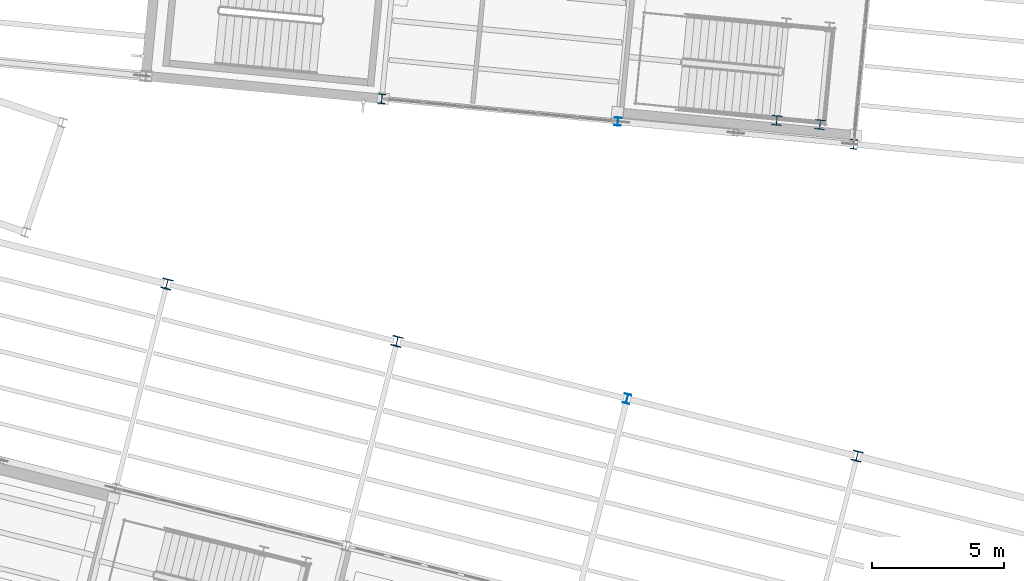
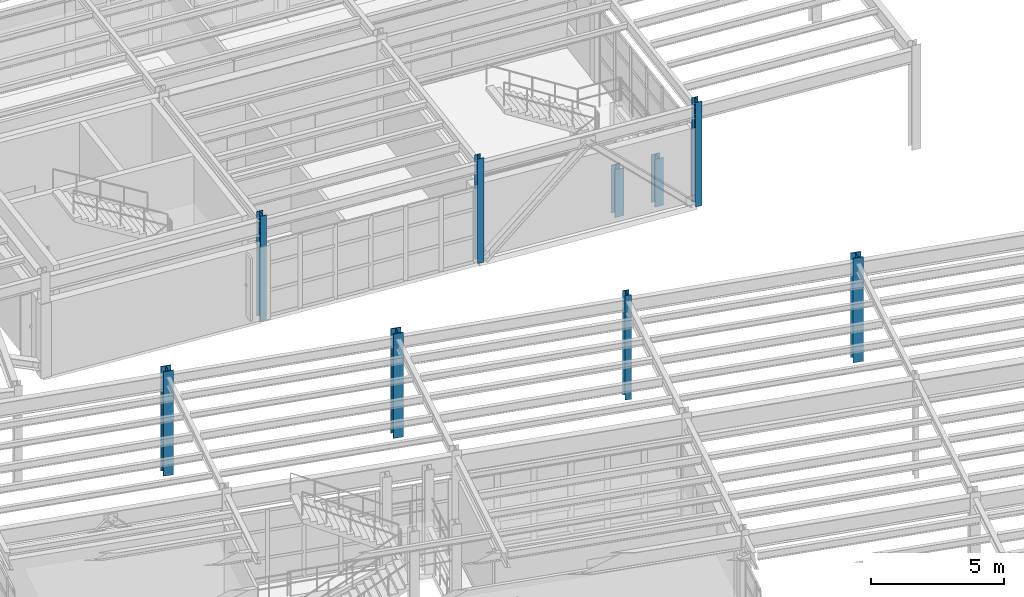
# One storey, part 9 of 109: 9 columns.
"""IFC4 building model written with IfcOpenShell, lengths in metres."""

from ifc_helpers import new_model, si_unit, direction, frame, origin, origin_2d, place, context, subcontext, project, spatial, i_section, extrude, material, material_profile, profile_set, type_object, element, save


model = new_model("IFC4")

# Units and contexts
model_context = context("Model", 3, precision=1e-05, world=origin(), true_north=direction((0.0, 1.0)))
body_context = subcontext(model_context, "Body", "Model", "MODEL_VIEW")
ifc_project = project(units=[si_unit("LENGTHUNIT", "METRE"), si_unit("AREAUNIT", "SQUARE_METRE"), si_unit("VOLUMEUNIT", "CUBIC_METRE"), si_unit("PLANEANGLEUNIT", "RADIAN"), si_unit("MASSUNIT", "GRAM", prefix="KILO")], contexts=[model_context])

# Site, building, storey
site_placement = place(None, origin())
site = spatial("IfcSite", under=ifc_project, at=site_placement, CompositionType="ELEMENT")
building_placement = place(site_placement, origin())
building = spatial("IfcBuilding", under=site, at=building_placement, Name="Vireo Bluff Cable Station", CompositionType="ELEMENT")
storey_placement = place(building_placement, frame((0.0, 0.0, 4.800048828125)))
storey = spatial("IfcBuildingStorey", under=building, at=storey_placement, Name="L01", CompositionType="ELEMENT", Elevation=4.800048828125)

# Columns
ifc_material = material(Name="Steel ASTM A992 Gr. 50", Category="steel")
ifc_material_profile_1 = material_profile(ifc_material, i_section(OverallWidth=0.39892578125, OverallDepth=0.385986328125, WebThickness=0.02099609375, FlangeThickness=0.033203125, FilletRadius=0.014892578125, at=origin_2d()), Name="W14X176")
ifc_profile_set_1 = profile_set([ifc_material_profile_1], Name="Steel ASTM A992 Gr. 50")
column_type_1 = type_object("IfcColumnType", Name="COL-W14X176", PredefinedType="COLUMN", material=ifc_profile_set_1)
for number, where, z_axis, x_axis, name in (
    (1, (68.538818359375, 59.10986328125, 0.0), (0.0, 0.0, 1.0), (0.970295726276, -0.2419218956, 0.0), "V1 L01 column 37"),
    (2, (77.271484375, 56.9326171875, 0.0), (0.0, 0.0, 1.0), (0.970295726276, -0.2419218956, 0.0), "V1 L01 column 57"),
    (3, (94.73681640625, 52.577880859375, 0.0), (0.0, 0.0, 1.0), (0.970295726276, -0.2419218956, 0.0), "V1 L01 column 93"),
):
    element("IfcColumn", number, at=place(storey_placement, frame(where, z_axis=z_axis, x_axis=x_axis)), inside=storey, type_object=column_type_1, Name=name, PredefinedType="COLUMN", context=body_context, shape_type="SweptSolid", body=[
        extrude(i_section(OverallWidth=0.39892578125, OverallDepth=0.385986328125, WebThickness=0.02099609375, FlangeThickness=0.033203125, FilletRadius=0.014892578125, at=origin_2d()), origin(), (0.0, 0.0, 1.0), 4.800048828125),
    ])
ifc_material_profile_2 = material_profile(ifc_material, i_section(OverallWidth=0.367919921875, OverallDepth=0.35595703125, WebThickness=0.01123046875, FlangeThickness=0.01806640625, FilletRadius=0.014892578125, at=origin_2d()), Name="W14X90")
ifc_profile_set_2 = profile_set([ifc_material_profile_2], Name="Steel ASTM A992 Gr. 50")
column_type_2 = type_object("IfcColumnType", Name="COL-W14X90", PredefinedType="COLUMN", material=ifc_profile_set_2)
for number, where, z_axis, x_axis, name in (
    (4, (91.68701171875, 65.32080078125, 0.0), (0.0, 0.0, 1.0), (0.995396198367, -0.09584575252, 0.0), "ST-11 L01 landing support column 1"),
    (5, (93.329345703125, 65.16259765625, 0.0), (0.0, 0.0, 1.0), (0.995396198367, -0.09584575252, 0.0), "ST-11 L01 landing support column 2"),
):
    element("IfcColumn", number, at=place(storey_placement, frame(where, z_axis=z_axis, x_axis=x_axis)), inside=storey, type_object=column_type_2, Name=name, PredefinedType="COLUMN", context=body_context, shape_type="SweptSolid", body=[
        extrude(i_section(OverallWidth=0.367919921875, OverallDepth=0.35595703125, WebThickness=0.01123046875, FlangeThickness=0.01806640625, FilletRadius=0.014892578125, at=origin_2d()), origin(), (0.0, 0.0, 1.0), 2.199951171875),
    ])
ifc_material_profile_3 = material_profile(ifc_material, i_section(OverallWidth=0.257080078125, OverallDepth=0.363037109375, WebThickness=0.012939453125, FlangeThickness=0.021728515625, FilletRadius=0.014892578125, at=origin_2d()), Name="W14X82")
ifc_profile_set_3 = profile_set([ifc_material_profile_3], Name="Steel ASTM A992 Gr. 50")
column_type_3 = type_object("IfcColumnType", Name="ECOL-W14X82", PredefinedType="COLUMN", material=ifc_profile_set_3)
for number, where, z_axis, x_axis, name in (
    (6, (86.004150390625, 54.755126953125, 0.0), (0.0, 0.0, 1.0), (0.970295726276, -0.2419218956, 0.0), "V1 L01 column 77"),
    (7, (76.69677734375, 66.141357421875, 0.0), (0.0, 0.0, 1.0), (0.995396198367, -0.09584575252, 0.0), "V3 L01 column 211"),
    (8, (94.61376953125, 64.416015625, 0.0), (0.0, 0.0, 1.0), (0.995396198367, -0.09584575252, 0.0), "V3 L01 column 229"),
):
    element("IfcColumn", number, at=place(storey_placement, frame(where, z_axis=z_axis, x_axis=x_axis)), inside=storey, type_object=column_type_3, Name=name, PredefinedType="COLUMN", context=body_context, shape_type="SweptSolid", body=[
        extrude(i_section(OverallWidth=0.257080078125, OverallDepth=0.363037109375, WebThickness=0.012939453125, FlangeThickness=0.021728515625, FilletRadius=0.014892578125, at=origin_2d()), origin(), (0.0, 0.0, 1.0), 4.800048828125),
    ])
ifc_material_profile_4 = material_profile(ifc_material, i_section(OverallWidth=0.25390625, OverallDepth=0.31005859375, WebThickness=0.009033203125, FlangeThickness=0.016357421875, FilletRadius=0.010986328125, at=origin_2d()), Name="W12X58")
ifc_profile_set_4 = profile_set([ifc_material_profile_4], Name="Steel ASTM A992 Gr. 50")
column_type_4 = type_object("IfcColumnType", Name="PIL-W12X58", PredefinedType="PILASTER", material=ifc_profile_set_4)
column_placement = place(storey_placement, frame((85.6552734375, 65.278564453125, 0.0), z_axis=(0.0, 0.0, 1.0), x_axis=(0.995396198367, -0.09584575252, 0.0)))
element("IfcColumn", 9, at=column_placement, inside=storey, type_object=column_type_4, Name="V3 L01 column 220", PredefinedType="PILASTER", context=body_context, shape_type="SweptSolid", body=[
    extrude(i_section(OverallWidth=0.25390625, OverallDepth=0.31005859375, WebThickness=0.009033203125, FlangeThickness=0.016357421875, FilletRadius=0.010986328125, at=origin_2d()), origin(), (0.0, 0.0, 1.0), 4.800048828125),
])

save(model, "model.ifc")
